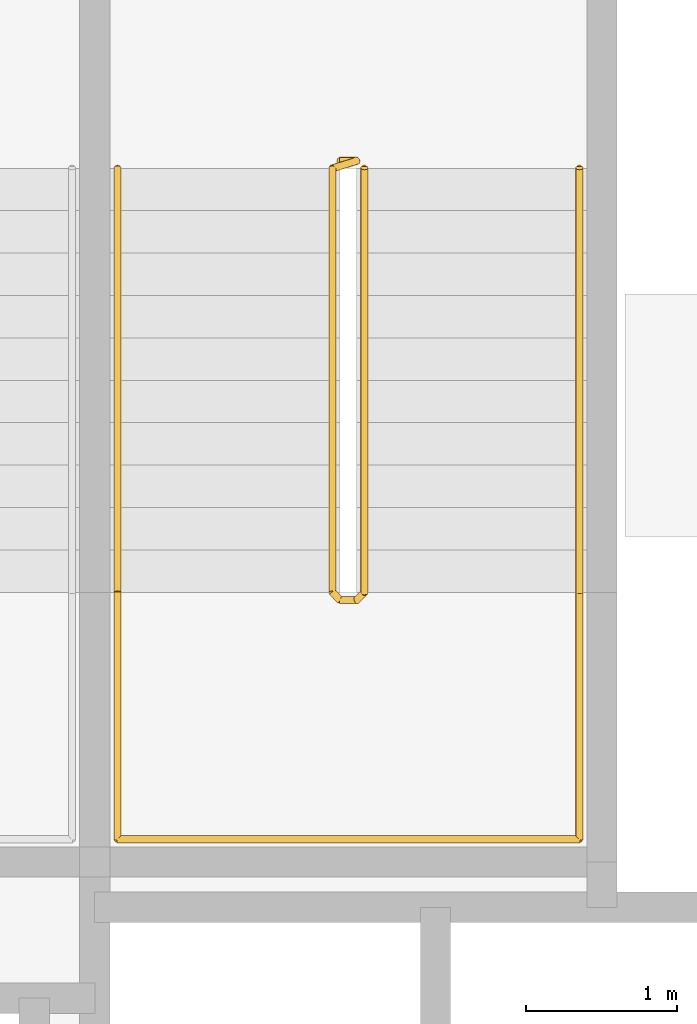
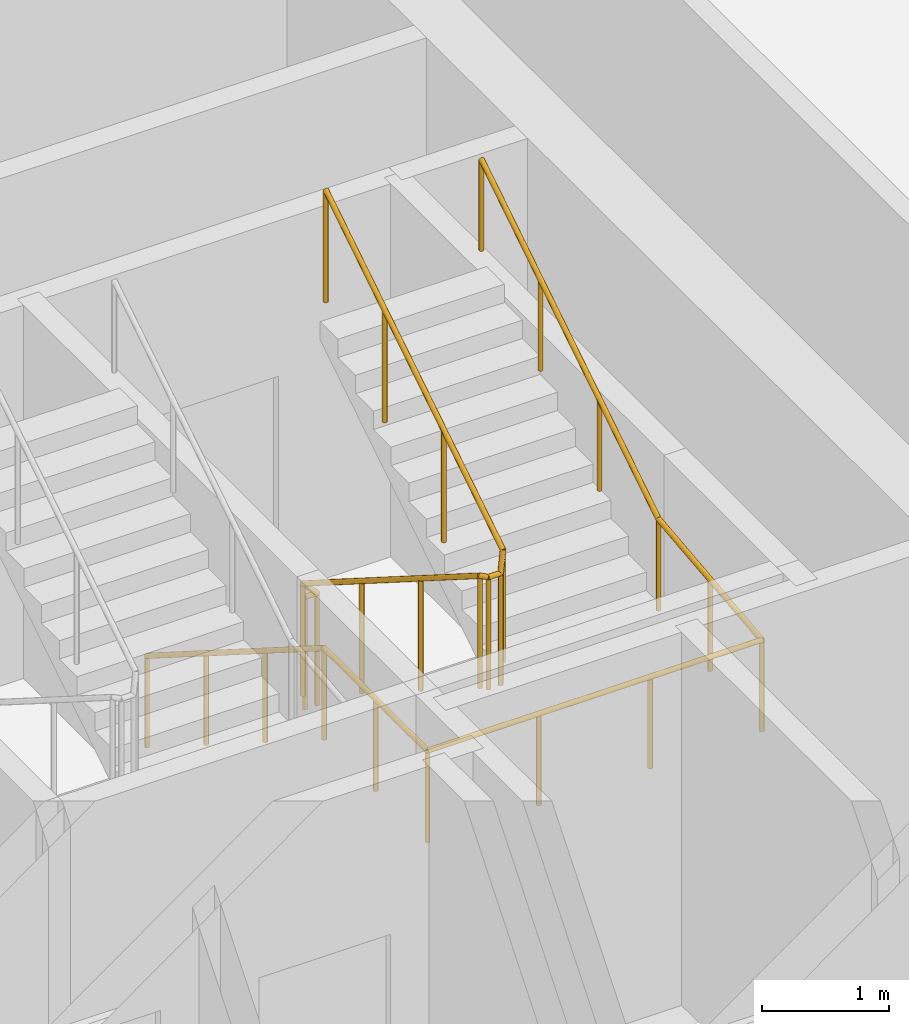
# One storey, part 14 of 14: 2 railings.
"""IFC4 building model written with IfcOpenShell, lengths in metres."""

from ifc_helpers import new_model, si_unit, direction, frame, origin, origin_2d, place, context, subcontext, project, spatial, circle, extrude, material, type_object, element, save


model = new_model("IFC4")

# Units and contexts
model_context = context("Model", 3, precision=1e-05, world=origin(), true_north=direction((0.0, 1.0)))
body_context = subcontext(model_context, "Body", "Model", "MODEL_VIEW")
ifc_project = project(units=[si_unit("LENGTHUNIT", "METRE"), si_unit("AREAUNIT", "SQUARE_METRE"), si_unit("VOLUMEUNIT", "CUBIC_METRE"), si_unit("PLANEANGLEUNIT", "RADIAN"), si_unit("MASSUNIT", "GRAM", prefix="KILO")], contexts=[model_context])

# Site, building, storey
site_placement = place(None, origin())
site = spatial("IfcSite", under=ifc_project, at=site_placement, CompositionType="ELEMENT")
building_placement = place(site_placement, origin())
building = spatial("IfcBuilding", under=site, at=building_placement, Name="Tessera Arch", CompositionType="ELEMENT")
storey_placement = place(building_placement, frame((0.0, 0.0, 177.800048828125)))
storey = spatial("IfcBuildingStorey", under=building, at=storey_placement, Name="L42", CompositionType="ELEMENT", Elevation=177.800048828125)

# Railings
ifc_material_1 = material(Name="Painted steel balustrade", Category="steel")
railing_type_1 = type_object("IfcRailingType", Name="Stair guard 1100", PredefinedType="GUARDRAIL", material=ifc_material_1)
railing_1_placement = place(storey_placement, frame((44.919921875, 43.6298828125, 0.0)))
element("IfcRailing", 1, at=railing_1_placement, inside=storey, type_object=railing_type_1, Name="L42 S1c stair guard 1", PredefinedType="GUARDRAIL", context=body_context, shape_type="SweptSolid", body=[
    extrude(circle(Radius=0.02392578125, at=origin_2d()), frame((-0.00390625, 0.0, 1.076171875), z_axis=(1.0, 0.0, 0.0), x_axis=(0.0, 1.0, 0.0)), (0.0, 0.0, 1.0), 0.1181640625),
    extrude(circle(Radius=0.02392578125, at=origin_2d()), frame((0.11279296875, 0.000732421875, 1.0732421875), z_axis=(-0.65574896516, -0.204233265485, 0.726830150696), x_axis=(0.297361876254, -0.954764847777, 0.0)), (0.0, 0.0, 1.0), 0.251953125),
    extrude(circle(Radius=0.02392578125, at=origin_2d()), frame((-0.0498046875, -0.04638671875, 1.251220703125), z_axis=(0.0, -0.844908973607, 0.534910110503), x_axis=(1.0, 0.0, 0.0)), (0.0, 0.0, 1.0), 3.322021484375),
    extrude(circle(Radius=0.02392578125, at=origin_2d()), frame((-0.052734375, -2.846923828125, 3.02587890625), z_axis=(0.705375805398, -0.708833529934, 0.0), x_axis=(0.708833529934, 0.705375805398, 0.0)), (0.0, 0.0, 1.0), 0.07861328125),
    extrude(circle(Radius=0.02392578125, at=origin_2d()), frame((-0.00390625, -2.89990234375, 3.02587890625), z_axis=(1.0, 0.0, 0.0), x_axis=(0.0, 1.0, 0.0)), (0.0, 0.0, 1.0), 0.1181640625),
    extrude(circle(Radius=0.02392578125, at=origin_2d()), frame((0.109130859375, -2.90087890625, 3.022216796875), z_axis=(0.262233686654, 0.262233686654, 0.928691007369), x_axis=(-0.707106781187, 0.707106781187, 0.0)), (0.0, 0.0, 1.0), 0.198974609375),
    extrude(circle(Radius=0.02392578125, at=origin_2d()), frame((0.16015625, -2.853271484375, 3.201171875), z_axis=(0.0, 0.844908973607, 0.534910110503), x_axis=(-1.0, 0.0, 0.0)), (0.0, 0.0, 1.0), 3.322021484375),
    extrude(circle(Radius=0.02099609375, at=origin_2d()), origin(), (0.0, 0.0, 1.0), 1.06396484375),
    extrude(circle(Radius=0.02099609375, at=origin_2d()), frame((0.110107421875, 0.0, 0.0)), (0.0, 0.0, 1.0), 1.06396484375),
    extrude(circle(Radius=0.02099609375, at=origin_2d()), frame((-0.0498046875, -0.0498046875, 0.17724609375)), (0.0, 0.0, 1.0), 1.06396484375),
    extrude(circle(Radius=0.02099609375, at=origin_2d()), frame((-0.0498046875, -0.983154296875, 0.76806640625)), (0.0, 0.0, 1.0), 1.06396484375),
    extrude(circle(Radius=0.02099609375, at=origin_2d()), frame((-0.0498046875, -1.91650390625, 1.359130859375)), (0.0, 0.0, 1.0), 1.06396484375),
    extrude(circle(Radius=0.02099609375, at=origin_2d()), frame((-0.0498046875, -2.849853515625, 1.949951171875)), (0.0, 0.0, 1.0), 1.06396484375),
    extrude(circle(Radius=0.02099609375, at=origin_2d()), frame((0.0, -2.89990234375, 1.949951171875)), (0.0, 0.0, 1.0), 1.06396484375),
    extrude(circle(Radius=0.02099609375, at=origin_2d()), frame((0.110107421875, -2.89990234375, 1.949951171875)), (0.0, 0.0, 1.0), 1.06396484375),
    extrude(circle(Radius=0.02099609375, at=origin_2d()), frame((0.16015625, -2.849853515625, 2.127197265625)), (0.0, 0.0, 1.0), 1.06396484375),
    extrude(circle(Radius=0.02099609375, at=origin_2d()), frame((0.16015625, -1.91650390625, 2.718017578125)), (0.0, 0.0, 1.0), 1.06396484375),
    extrude(circle(Radius=0.02099609375, at=origin_2d()), frame((0.16015625, -0.983154296875, 3.30908203125)), (0.0, 0.0, 1.0), 1.06396484375),
    extrude(circle(Radius=0.02099609375, at=origin_2d()), frame((0.16015625, -0.0498046875, 3.89990234375)), (0.0, 0.0, 1.0), 1.06396484375),
])
ifc_material_2 = material(Name="Painted steel handrail", Category="steel")
railing_type_2 = type_object("IfcRailingType", Name="Stair handrail 900", PredefinedType="HANDRAIL", material=ifc_material_2)
railing_2_placement = place(storey_placement, frame((43.449951171875, 43.580078125, 0.17724609375)))
element("IfcRailing", 2, at=railing_2_placement, inside=storey, type_object=railing_type_2, Name="L42 S1c stair handrail", PredefinedType="HANDRAIL", context=body_context, shape_type="SweptSolid", body=[
    extrude(circle(Radius=0.02392578125, at=origin_2d()), frame((0.0, 0.00341796875, 0.873779296875), z_axis=(0.0, -0.844908973607, 0.534910110503), x_axis=(1.0, 0.0, 0.0)), (0.0, 0.0, 1.0), 3.322021484375),
    extrude(circle(Radius=0.02392578125, at=origin_2d()), frame((0.0, -2.796142578125, 2.6484375), z_axis=(0.0, -1.0, 0.0), x_axis=(1.0, 0.0, 0.0)), (0.0, 0.0, 1.0), 1.63818359375),
    extrude(circle(Radius=0.02392578125, at=origin_2d()), frame((-0.00390625, -4.43017578125, 2.6484375), z_axis=(1.0, 0.0, 0.0), x_axis=(0.0, 1.0, 0.0)), (0.0, 0.0, 1.0), 3.05810546875),
    extrude(circle(Radius=0.02392578125, at=origin_2d()), frame((3.050048828125, -4.43408203125, 2.648193359375), z_axis=(0.0, 0.994140637614, 0.108094369164), x_axis=(-1.0, 0.0, 0.0)), (0.0, 0.0, 1.0), 1.647705078125),
    extrude(circle(Radius=0.02392578125, at=origin_2d()), frame((3.050048828125, -2.803466796875, 2.82373046875), z_axis=(0.0, 0.844908973607, 0.534910110503), x_axis=(-1.0, 0.0, 0.0)), (0.0, 0.0, 1.0), 3.322021484375),
    extrude(circle(Radius=0.02099609375, at=origin_2d()), origin(), (0.0, 0.0, 1.0), 0.86376953125),
    extrude(circle(Radius=0.02099609375, at=origin_2d()), frame((0.0, -0.933349609375, 0.5908203125)), (0.0, 0.0, 1.0), 0.86376953125),
    extrude(circle(Radius=0.02099609375, at=origin_2d()), frame((0.0, -1.86669921875, 1.181884765625)), (0.0, 0.0, 1.0), 0.86376953125),
    extrude(circle(Radius=0.02099609375, at=origin_2d()), frame((0.0, -2.800048828125, 1.772705078125)), (0.0, 0.0, 1.0), 0.86376953125),
    extrude(circle(Radius=0.02099609375, at=origin_2d()), frame((0.0, -3.615234375, 1.772705078125)), (0.0, 0.0, 1.0), 0.86376953125),
    extrude(circle(Radius=0.02099609375, at=origin_2d()), frame((0.0, -4.43017578125, 1.772705078125)), (0.0, 0.0, 1.0), 0.86376953125),
    extrude(circle(Radius=0.02099609375, at=origin_2d()), frame((1.0166015625, -4.43017578125, 1.772705078125)), (0.0, 0.0, 1.0), 0.86376953125),
    extrude(circle(Radius=0.02099609375, at=origin_2d()), frame((2.033447265625, -4.43017578125, 1.772705078125)), (0.0, 0.0, 1.0), 0.86376953125),
    extrude(circle(Radius=0.02099609375, at=origin_2d()), frame((3.050048828125, -4.43017578125, 1.772705078125)), (0.0, 0.0, 1.0), 0.86376953125),
    extrude(circle(Radius=0.02099609375, at=origin_2d()), frame((3.050048828125, -3.615234375, 1.861328125)), (0.0, 0.0, 1.0), 0.86376953125),
    extrude(circle(Radius=0.02099609375, at=origin_2d()), frame((3.050048828125, -2.800048828125, 1.949951171875)), (0.0, 0.0, 1.0), 0.86376953125),
    extrude(circle(Radius=0.02099609375, at=origin_2d()), frame((3.050048828125, -1.86669921875, 2.540771484375)), (0.0, 0.0, 1.0), 0.86376953125),
    extrude(circle(Radius=0.02099609375, at=origin_2d()), frame((3.050048828125, -0.933349609375, 3.1318359375)), (0.0, 0.0, 1.0), 0.86376953125),
    extrude(circle(Radius=0.02099609375, at=origin_2d()), frame((3.050048828125, 0.0, 3.72265625)), (0.0, 0.0, 1.0), 0.86376953125),
])

save(model, "model.ifc")
